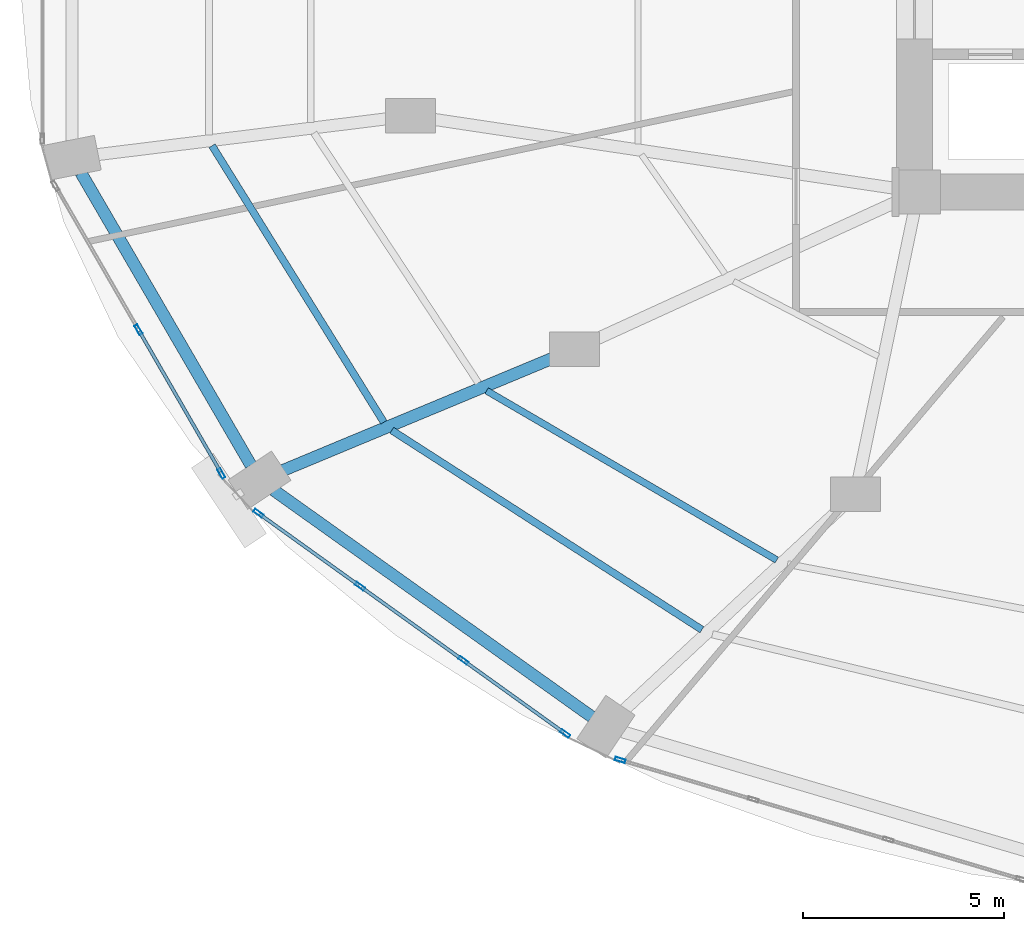
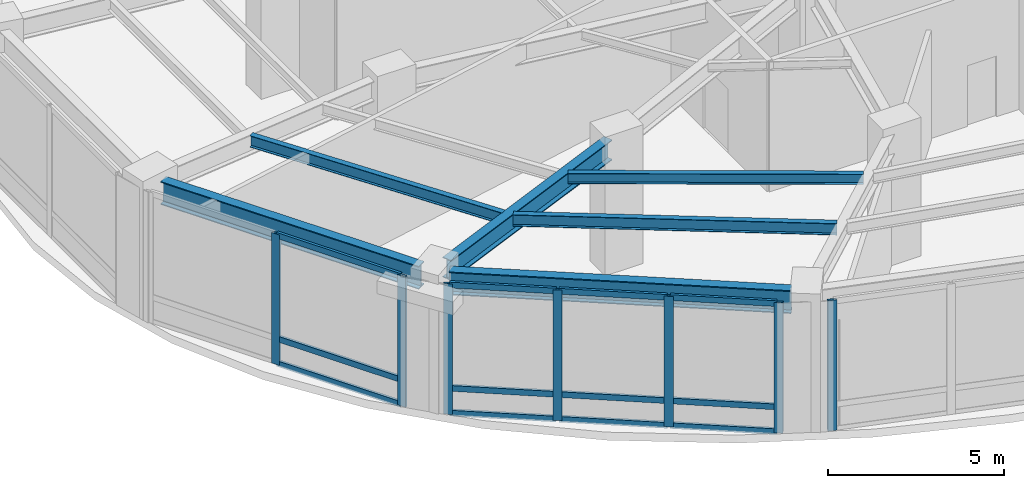
# One storey, part 2 of 24: 19 members, 6 beams, 3 elements without a shape of their own.
"""IFC4 building model written with IfcOpenShell, lengths in metres."""

from ifc_helpers import new_model, si_unit, direction, frame, origin, origin_2d, place, context, subcontext, project, spatial, hollow_rectangle, i_section, extrude, material, layer, layer_set, material_profile, profile_set, type_object, element, aggregate, save


model = new_model("IFC4")

# Units and contexts
model_context = context("Model", 3, precision=1e-05, world=origin(), true_north=direction((0.0, 1.0)))
body_context = subcontext(model_context, "Body", "Model", "MODEL_VIEW")
ifc_project = project(units=[si_unit("LENGTHUNIT", "METRE"), si_unit("AREAUNIT", "SQUARE_METRE"), si_unit("VOLUMEUNIT", "CUBIC_METRE"), si_unit("PLANEANGLEUNIT", "RADIAN"), si_unit("MASSUNIT", "GRAM", prefix="KILO")], contexts=[model_context])

# Site, building, storey
site_placement = place(None, origin())
site = spatial("IfcSite", under=ifc_project, at=site_placement, CompositionType="ELEMENT")
building_placement = place(site_placement, origin())
building = spatial("IfcBuilding", under=site, at=building_placement, Name="Lazwardi Medical Tower", CompositionType="ELEMENT")
storey_placement = place(building_placement, frame((0.0, 0.0, 10.800048828125)))
storey = spatial("IfcBuildingStorey", under=building, at=storey_placement, Name="L02", CompositionType="ELEMENT", Elevation=10.800048828125)

# Beams
ifc_material_1 = material(Name="Steel S355", Category="steel")
ifc_material_profile_1 = material_profile(ifc_material_1, i_section(OverallWidth=0.300048828125, OverallDepth=0.800048828125, WebThickness=0.017578125, FlangeThickness=0.032958984375, at=origin_2d()), Name="HEB 800")
ifc_profile_set_1 = profile_set([ifc_material_profile_1], Name="Steel S355")
beam_type_1 = type_object("IfcBeamType", Name="BM-RB-P1", PredefinedType="BEAM", material=ifc_profile_set_1)
beam_1_placement = place(storey_placement, frame((5.517578125, 20.877685546875, 4.119873046875), z_axis=(0.502605874383, -0.864515665003, 0.0), x_axis=(0.864515665003, 0.502605874383, 0.0)))
element("IfcBeam", 1, at=beam_1_placement, inside=storey, type_object=beam_type_1, Name="Ring beam RB-01 B13 L02", PredefinedType="BEAM", context=body_context, shape_type="SweptSolid", body=[
    extrude(i_section(OverallWidth=0.300048828125, OverallDepth=0.800048828125, WebThickness=0.017578125, FlangeThickness=0.032958984375, at=origin_2d()), origin(), (0.0, 0.0, 1.0), 8.4384765625),
])
beam_2_placement = place(storey_placement, frame((10.3251953125, 12.961181640625, 4.119873046875), z_axis=(0.814437186887, -0.580251728663, 0.0), x_axis=(0.580251728663, 0.814437186887, 0.0)))
element("IfcBeam", 2, at=beam_2_placement, inside=storey, type_object=beam_type_1, Name="Ring beam RB-01 B14 L02", PredefinedType="BEAM", context=body_context, shape_type="SweptSolid", body=[
    extrude(i_section(OverallWidth=0.300048828125, OverallDepth=0.800048828125, WebThickness=0.017578125, FlangeThickness=0.032958984375, at=origin_2d()), origin(), (0.0, 0.0, 1.0), 9.743408203125),
])
ifc_material_profile_2 = material_profile(ifc_material_1, i_section(OverallWidth=0.300048828125, OverallDepth=0.699951171875, WebThickness=0.01708984375, FlangeThickness=0.031982421875, at=origin_2d()), Name="HEB 700")
ifc_profile_set_2 = profile_set([ifc_material_profile_2], Name="Steel S355")
beam_type_2 = type_object("IfcBeamType", Name="BM-RG-P1", PredefinedType="BEAM", material=ifc_profile_set_2)
beam_3_placement = place(storey_placement, frame((10.510498046875, 13.43359375, 4.169921875), z_axis=(0.923279462658, 0.38412892866, 0.0), x_axis=(-0.38412892866, 0.923279462658, 0.0)))
element("IfcBeam", 3, at=beam_3_placement, inside=storey, type_object=beam_type_2, Name="Radial girder RG-01 R14A L02", PredefinedType="BEAM", context=body_context, shape_type="SweptSolid", body=[
    extrude(i_section(OverallWidth=0.300048828125, OverallDepth=0.699951171875, WebThickness=0.01708984375, FlangeThickness=0.031982421875, at=origin_2d()), origin(), (0.0, 0.0, 1.0), 7.52001953125),
])
ifc_material_profile_3 = material_profile(ifc_material_1, i_section(OverallWidth=0.179931640625, OverallDepth=0.39990234375, WebThickness=0.008544921875, FlangeThickness=0.013427734375, at=origin_2d()), Name="IPE 400")
ifc_profile_set_3 = profile_set([ifc_material_profile_3], Name="Steel S355")
beam_type_3 = type_object("IfcBeamType", Name="BM-SJ-01", PredefinedType="JOIST", material=ifc_profile_set_3)
beam_4_placement = place(storey_placement, frame((8.78955078125, 21.548828125, 4.320068359375), z_axis=(0.527696026634, -0.84943328371, 0.0), x_axis=(0.84943328371, 0.527696026634, 0.0)))
element("IfcBeam", 4, at=beam_4_placement, inside=storey, type_object=beam_type_3, Name="Secondary joist SJ-01 RO1 B13 L02", PredefinedType="JOIST", context=body_context, shape_type="SweptSolid", body=[
    extrude(i_section(OverallWidth=0.179931640625, OverallDepth=0.39990234375, WebThickness=0.008544921875, FlangeThickness=0.013427734375, at=origin_2d()), origin(), (0.0, 0.0, 1.0), 8.116455078125),
])
beam_5_placement = place(storey_placement, frame((13.27099609375, 14.452880859375, 4.320068359375), z_axis=(0.841096497971, -0.540885090477, 0.0), x_axis=(0.540885090477, 0.841096497971, 0.0)))
element("IfcBeam", 5, at=beam_5_placement, inside=storey, type_object=beam_type_3, Name="Secondary joist SJ-01 RO1 B14 L02", PredefinedType="JOIST", context=body_context, shape_type="SweptSolid", body=[
    extrude(i_section(OverallWidth=0.179931640625, OverallDepth=0.39990234375, WebThickness=0.008544921875, FlangeThickness=0.013427734375, at=origin_2d()), origin(), (0.0, 0.0, 1.0), 9.193603515625),
])
ifc_material_profile_4 = material_profile(ifc_material_1, i_section(OverallWidth=0.169921875, OverallDepth=0.360107421875, WebThickness=0.008056640625, FlangeThickness=0.0126953125, at=origin_2d()), Name="IPE 360")
ifc_profile_set_4 = profile_set([ifc_material_profile_4], Name="Steel S355")
beam_type_4 = type_object("IfcBeamType", Name="BM-SJ-02", PredefinedType="JOIST", material=ifc_profile_set_4)
beam_6_placement = place(storey_placement, frame((15.634765625, 15.4404296875, 4.33984375), z_axis=(0.863708078394, -0.503992415932, 0.0), x_axis=(0.503992415932, 0.863708078394, 0.0)))
element("IfcBeam", 6, at=beam_6_placement, inside=storey, type_object=beam_type_4, Name="Secondary joist SJ-02 RO2 B14 L02", PredefinedType="JOIST", context=body_context, shape_type="SweptSolid", body=[
    extrude(i_section(OverallWidth=0.169921875, OverallDepth=0.360107421875, WebThickness=0.008056640625, FlangeThickness=0.0126953125, at=origin_2d()), origin(), (0.0, 0.0, 1.0), 8.3779296875),
])

# Curtain wall, members
ifc_material_2 = material(Name="Anodised bronze aluminium and solar control glazing", Category="aluminium")
ifc_layer = layer(ifc_material_2, 0.219970703125)
ifc_layer_set = layer_set([ifc_layer], Name="Anodised bronze aluminium and solar control glazing")
curtain_wall_type = type_object("IfcCurtainWallType", Name="CW-SYS-01", PredefinedType="NOTDEFINED", material=ifc_layer_set)
curtain_wall_1_placement = place(storey_placement, origin())
curtain_wall_1 = element("IfcCurtainWall", 7, at=curtain_wall_1_placement, inside=storey, type_object=curtain_wall_type, Name="L02 Unitised bronze curtain wall CW-01", PredefinedType="NOTDEFINED")
ifc_material_3 = material(Name="Anodised bronze aluminium", Category="aluminium")
ifc_material_profile_5 = material_profile(ifc_material_3, hollow_rectangle(XDim=0.0849609375, YDim=0.260009765625, WallThickness=0.0048828125, at=origin_2d()), Name="ALU-MULLION 260x85x5")
ifc_profile_set_5 = profile_set([ifc_material_profile_5], Name="Anodised bronze aluminium")
member_type_1 = type_object("IfcMemberType", Name="CW-MUL-02", PredefinedType="MULLION", material=ifc_profile_set_5)
member_1_placement = place(storey_placement, frame((6.95361328125, 16.9619140625, 0.0), z_axis=(0.0, 0.0, 1.0), x_axis=(0.866180607783, 0.499731082384, 0.0)))
member_1 = element("IfcMember", 8, at=member_1_placement, type_object=member_type_1, Name="CW-01 mullion 2", PredefinedType="MULLION", context=body_context, shape_type="SweptSolid", body=[
    extrude(hollow_rectangle(XDim=0.0849609375, YDim=0.260009765625, WallThickness=0.0048828125, at=origin_2d()), origin(), (0.0, 0.0, 1.0), 4.52001953125),
])
member_2_placement = place(storey_placement, frame((9.021240234375, 13.3779296875, 0.0), z_axis=(0.0, 0.0, 1.0), x_axis=(0.866180607783, 0.499731082384, 0.0)))
member_2 = element("IfcMember", 9, at=member_2_placement, type_object=member_type_1, Name="CW-01 mullion 3", PredefinedType="MULLION", context=body_context, shape_type="SweptSolid", body=[
    extrude(hollow_rectangle(XDim=0.0849609375, YDim=0.260009765625, WallThickness=0.0048828125, at=origin_2d()), origin(), (0.0, 0.0, 1.0), 4.52001953125),
])

curtain_wall_2_placement = place(storey_placement, origin())
curtain_wall_2 = element("IfcCurtainWall", 10, at=curtain_wall_2_placement, inside=storey, type_object=curtain_wall_type, Name="L02 Unitised bronze curtain wall CW-01", PredefinedType="NOTDEFINED")
member_3_placement = place(storey_placement, frame((9.943359375, 12.385498046875, 0.0), z_axis=(0.0, 0.0, 1.0), x_axis=(0.583214260584, 0.812318365083, 0.0)))
member_3 = element("IfcMember", 11, at=member_3_placement, type_object=member_type_1, Name="CW-01 mullion 1", PredefinedType="MULLION", context=body_context, shape_type="SweptSolid", body=[
    extrude(hollow_rectangle(XDim=0.0849609375, YDim=0.260009765625, WallThickness=0.0048828125, at=origin_2d()), origin(), (0.0, 0.0, 1.0), 4.52001953125),
])
member_4_placement = place(storey_placement, frame((12.482177734375, 10.562744140625, 0.0), z_axis=(0.0, 0.0, 1.0), x_axis=(0.583214260584, 0.812318365083, 0.0)))
member_4 = element("IfcMember", 12, at=member_4_placement, type_object=member_type_1, Name="CW-01 mullion 2", PredefinedType="MULLION", context=body_context, shape_type="SweptSolid", body=[
    extrude(hollow_rectangle(XDim=0.0849609375, YDim=0.260009765625, WallThickness=0.0048828125, at=origin_2d()), origin(), (0.0, 0.0, 1.0), 4.52001953125),
])
member_5_placement = place(storey_placement, frame((15.055419921875, 8.71533203125, 0.0), z_axis=(0.0, 0.0, 1.0), x_axis=(0.583214260584, 0.812318365083, 0.0)))
member_5 = element("IfcMember", 13, at=member_5_placement, type_object=member_type_1, Name="CW-01 mullion 3", PredefinedType="MULLION", context=body_context, shape_type="SweptSolid", body=[
    extrude(hollow_rectangle(XDim=0.0849609375, YDim=0.260009765625, WallThickness=0.0048828125, at=origin_2d()), origin(), (0.0, 0.0, 1.0), 4.52001953125),
])
member_6_placement = place(storey_placement, frame((17.59423828125, 6.892578125, 0.0), z_axis=(0.0, 0.0, 1.0), x_axis=(0.583214260584, 0.812318365083, 0.0)))
member_6 = element("IfcMember", 14, at=member_6_placement, type_object=member_type_1, Name="CW-01 mullion 4", PredefinedType="MULLION", context=body_context, shape_type="SweptSolid", body=[
    extrude(hollow_rectangle(XDim=0.0849609375, YDim=0.260009765625, WallThickness=0.0048828125, at=origin_2d()), origin(), (0.0, 0.0, 1.0), 4.52001953125),
])

# Curtain wall, member
curtain_wall_3_placement = place(storey_placement, origin())
curtain_wall_3 = element("IfcCurtainWall", 15, at=curtain_wall_3_placement, inside=storey, type_object=curtain_wall_type, Name="L02 Unitised bronze curtain wall CW-01", PredefinedType="NOTDEFINED")
member_7_placement = place(storey_placement, frame((18.966064453125, 6.233642578125, 0.0), z_axis=(0.0, 0.0, 1.0), x_axis=(0.285047195531, 0.958513482597, 0.0)))
member_7 = element("IfcMember", 16, at=member_7_placement, type_object=member_type_1, Name="CW-01 mullion 1", PredefinedType="MULLION", context=body_context, shape_type="SweptSolid", body=[
    extrude(hollow_rectangle(XDim=0.0849609375, YDim=0.260009765625, WallThickness=0.0048828125, at=origin_2d()), origin(), (0.0, 0.0, 1.0), 4.52001953125),
])
aggregate(curtain_wall_3, [member_7])

# Member
ifc_material_profile_6 = material_profile(ifc_material_3, hollow_rectangle(XDim=0.0849609375, YDim=0.199951171875, WallThickness=0.00439453125, at=origin_2d()), Name="ALU-TRANSOM 200x85x4.5")
ifc_profile_set_6 = profile_set([ifc_material_profile_6], Name="Anodised bronze aluminium")
member_type_2 = type_object("IfcMemberType", Name="CW-TRN-02", PredefinedType="USERDEFINED", material=ifc_profile_set_6)
member_8_placement = place(storey_placement, frame((6.974853515625, 16.925048828125, 0.04248046875), z_axis=(0.499767651026, -0.866159508975, 0.0), x_axis=(0.866159508975, 0.499767651026, 0.0)))
member_8 = element("IfcMember", 17, at=member_8_placement, type_object=member_type_2, Name="CW-01 transom 2.1", ObjectType="TRANSOM", PredefinedType="USERDEFINED", context=body_context, shape_type="SweptSolid", body=[
    extrude(hollow_rectangle(XDim=0.0849609375, YDim=0.199951171875, WallThickness=0.00439453125, at=origin_2d()), origin(), (0.0, 0.0, 1.0), 4.052734375),
])

member_9_placement = place(storey_placement, frame((6.974853515625, 16.925048828125, 0.89990234375), z_axis=(0.499767651026, -0.866159508975, 0.0), x_axis=(0.866159508975, 0.499767651026, 0.0)))
member_9 = element("IfcMember", 18, at=member_9_placement, type_object=member_type_2, Name="CW-01 transom 2.2", ObjectType="TRANSOM", PredefinedType="USERDEFINED", context=body_context, shape_type="SweptSolid", body=[
    extrude(hollow_rectangle(XDim=0.0849609375, YDim=0.199951171875, WallThickness=0.00439453125, at=origin_2d()), origin(), (0.0, 0.0, 1.0), 4.052734375),
])

member_10_placement = place(storey_placement, frame((6.974853515625, 16.925048828125, 4.4775390625), z_axis=(0.499767651026, -0.866159508975, 0.0), x_axis=(0.866159508975, 0.499767651026, 0.0)))
member_10 = element("IfcMember", 19, at=member_10_placement, type_object=member_type_2, Name="CW-01 transom 2.3", ObjectType="TRANSOM", PredefinedType="USERDEFINED", context=body_context, shape_type="SweptSolid", body=[
    extrude(hollow_rectangle(XDim=0.0849609375, YDim=0.199951171875, WallThickness=0.00439453125, at=origin_2d()), origin(), (0.0, 0.0, 1.0), 4.052734375),
])

aggregate(curtain_wall_1, [member_1, member_2, member_8, member_9, member_10])

member_11_placement = place(storey_placement, frame((9.97802734375, 12.36083984375, 0.04248046875), z_axis=(0.812314954496, -0.583219010924, 0.0), x_axis=(0.583219010924, 0.812314954496, 0.0)))
member_11 = element("IfcMember", 20, at=member_11_placement, type_object=member_type_2, Name="CW-01 transom 1.1", ObjectType="TRANSOM", PredefinedType="USERDEFINED", context=body_context, shape_type="SweptSolid", body=[
    extrude(hollow_rectangle(XDim=0.0849609375, YDim=0.199951171875, WallThickness=0.00439453125, at=origin_2d()), origin(), (0.0, 0.0, 1.0), 3.040283203125),
])

member_12_placement = place(storey_placement, frame((9.97802734375, 12.36083984375, 0.89990234375), z_axis=(0.812314954496, -0.583219010924, 0.0), x_axis=(0.583219010924, 0.812314954496, 0.0)))
member_12 = element("IfcMember", 21, at=member_12_placement, type_object=member_type_2, Name="CW-01 transom 1.2", ObjectType="TRANSOM", PredefinedType="USERDEFINED", context=body_context, shape_type="SweptSolid", body=[
    extrude(hollow_rectangle(XDim=0.0849609375, YDim=0.199951171875, WallThickness=0.00439453125, at=origin_2d()), origin(), (0.0, 0.0, 1.0), 3.040283203125),
])

member_13_placement = place(storey_placement, frame((9.97802734375, 12.36083984375, 4.4775390625), z_axis=(0.812314954496, -0.583219010924, 0.0), x_axis=(0.583219010924, 0.812314954496, 0.0)))
member_13 = element("IfcMember", 22, at=member_13_placement, type_object=member_type_2, Name="CW-01 transom 1.3", ObjectType="TRANSOM", PredefinedType="USERDEFINED", context=body_context, shape_type="SweptSolid", body=[
    extrude(hollow_rectangle(XDim=0.0849609375, YDim=0.199951171875, WallThickness=0.00439453125, at=origin_2d()), origin(), (0.0, 0.0, 1.0), 3.040283203125),
])

member_14_placement = place(storey_placement, frame((12.5166015625, 10.5380859375, 0.04248046875), z_axis=(0.81231315212, -0.583221521287, 0.0), x_axis=(0.583221521287, 0.81231315212, 0.0)))
member_14 = element("IfcMember", 23, at=member_14_placement, type_object=member_type_2, Name="CW-01 transom 2.1", ObjectType="TRANSOM", PredefinedType="USERDEFINED", context=body_context, shape_type="SweptSolid", body=[
    extrude(hollow_rectangle(XDim=0.0849609375, YDim=0.199951171875, WallThickness=0.00439453125, at=origin_2d()), origin(), (0.0, 0.0, 1.0), 3.0830078125),
])

member_15_placement = place(storey_placement, frame((12.5166015625, 10.5380859375, 0.89990234375), z_axis=(0.81231315212, -0.583221521287, 0.0), x_axis=(0.583221521287, 0.81231315212, 0.0)))
member_15 = element("IfcMember", 24, at=member_15_placement, type_object=member_type_2, Name="CW-01 transom 2.2", ObjectType="TRANSOM", PredefinedType="USERDEFINED", context=body_context, shape_type="SweptSolid", body=[
    extrude(hollow_rectangle(XDim=0.0849609375, YDim=0.199951171875, WallThickness=0.00439453125, at=origin_2d()), origin(), (0.0, 0.0, 1.0), 3.0830078125),
])

member_16_placement = place(storey_placement, frame((12.5166015625, 10.5380859375, 4.4775390625), z_axis=(0.81231315212, -0.583221521287, 0.0), x_axis=(0.583221521287, 0.81231315212, 0.0)))
member_16 = element("IfcMember", 25, at=member_16_placement, type_object=member_type_2, Name="CW-01 transom 2.3", ObjectType="TRANSOM", PredefinedType="USERDEFINED", context=body_context, shape_type="SweptSolid", body=[
    extrude(hollow_rectangle(XDim=0.0849609375, YDim=0.199951171875, WallThickness=0.00439453125, at=origin_2d()), origin(), (0.0, 0.0, 1.0), 3.0830078125),
])

member_17_placement = place(storey_placement, frame((15.090087890625, 8.6904296875, 0.04248046875), z_axis=(0.812314954496, -0.583219010924, 0.0), x_axis=(0.583219010924, 0.812314954496, 0.0)))
member_17 = element("IfcMember", 26, at=member_17_placement, type_object=member_type_2, Name="CW-01 transom 3.1", ObjectType="TRANSOM", PredefinedType="USERDEFINED", context=body_context, shape_type="SweptSolid", body=[
    extrude(hollow_rectangle(XDim=0.0849609375, YDim=0.199951171875, WallThickness=0.00439453125, at=origin_2d()), origin(), (0.0, 0.0, 1.0), 3.040283203125),
])

member_18_placement = place(storey_placement, frame((15.090087890625, 8.6904296875, 0.89990234375), z_axis=(0.812314954496, -0.583219010924, 0.0), x_axis=(0.583219010924, 0.812314954496, 0.0)))
member_18 = element("IfcMember", 27, at=member_18_placement, type_object=member_type_2, Name="CW-01 transom 3.2", ObjectType="TRANSOM", PredefinedType="USERDEFINED", context=body_context, shape_type="SweptSolid", body=[
    extrude(hollow_rectangle(XDim=0.0849609375, YDim=0.199951171875, WallThickness=0.00439453125, at=origin_2d()), origin(), (0.0, 0.0, 1.0), 3.040283203125),
])

member_19_placement = place(storey_placement, frame((15.090087890625, 8.6904296875, 4.4775390625), z_axis=(0.812314954496, -0.583219010924, 0.0), x_axis=(0.583219010924, 0.812314954496, 0.0)))
member_19 = element("IfcMember", 28, at=member_19_placement, type_object=member_type_2, Name="CW-01 transom 3.3", ObjectType="TRANSOM", PredefinedType="USERDEFINED", context=body_context, shape_type="SweptSolid", body=[
    extrude(hollow_rectangle(XDim=0.0849609375, YDim=0.199951171875, WallThickness=0.00439453125, at=origin_2d()), origin(), (0.0, 0.0, 1.0), 3.040283203125),
])

aggregate(curtain_wall_2, [member_3, member_4, member_5, member_6, member_11, member_12, member_13, member_14, member_15, member_16, member_17, member_18, member_19])

save(model, "model.ifc")
